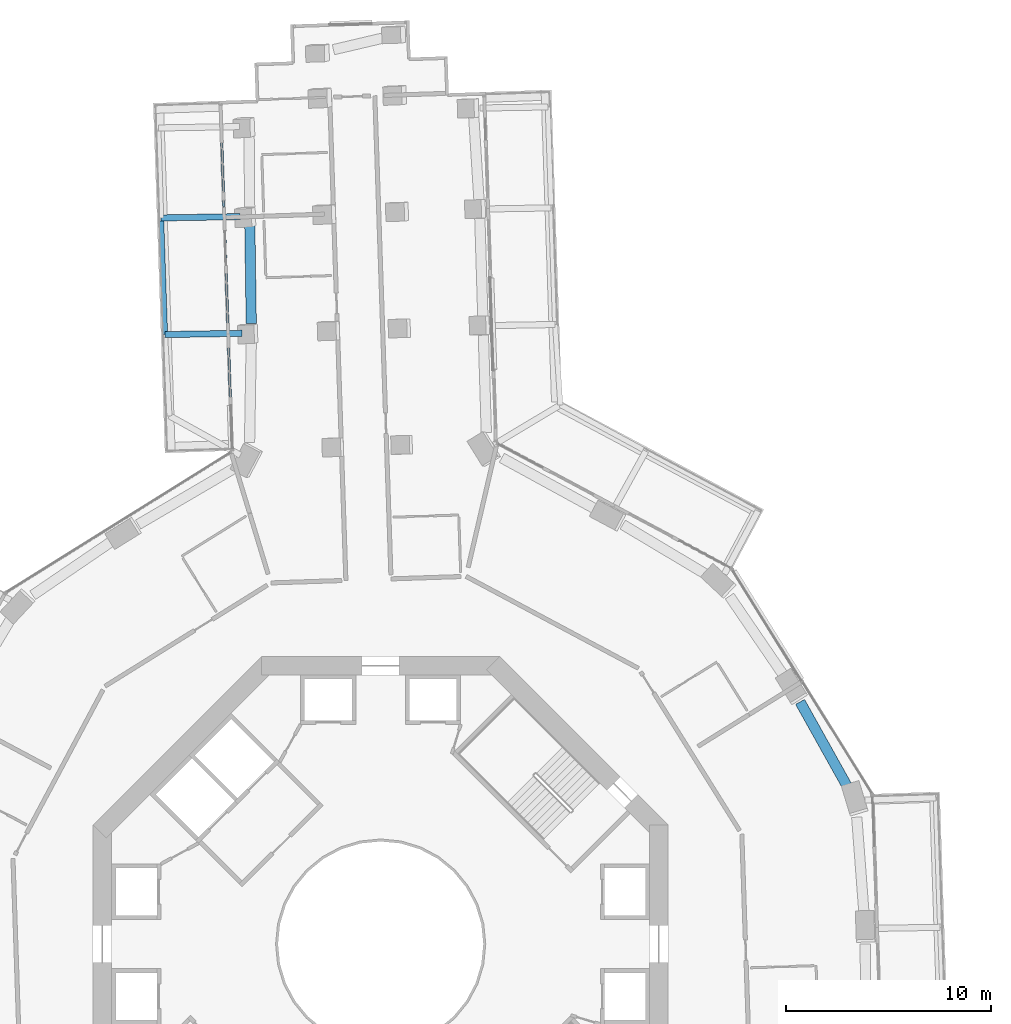
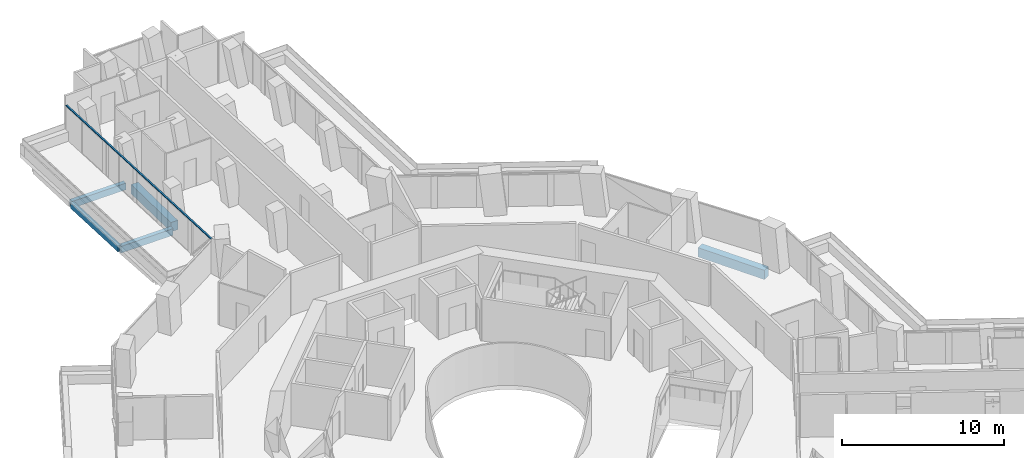
# One storey, part 9 of 27: 5 beams, 1 member, 1 element without a shape of its own.
"""IFC4 building model written with IfcOpenShell, lengths in metres."""

import ifcopenshell
import ifcopenshell.guid

model = None  # the IFC model being written
_history = None  # IfcOwnerHistory: only IFC2X3 demands one
_inside = {}  # id of a spatial element -> (the spatial element, [elements in it])
_under = {}  # id of a project, library or spatial element -> (it, [spatial elements below it])
_declared = {}  # id of a project -> (the project, [libraries it declares])
_typed = {}  # id of a type object -> (the type object, [elements of that type])
_made_of = {}  # id of a material, layer set ... -> (it, [elements and type objects made of it])


def new_model(schema):
    """Start an empty IFC model of exactly this schema.

    Asked for "IFC4X3", IfcOpenShell would pick the latest addendum, in which some entities
    have other attributes; the version numbers below select the first issue.
    IFC2X3 requires an IfcOwnerHistory on every rooted entity: one is made here for all.
    """
    global model, _history
    if schema == "IFC4X3":
        model = ifcopenshell.file(schema_version=(4, 3, 0, 0))
    else:
        model = ifcopenshell.file(schema=schema)
    _inside.clear()
    _under.clear()
    _declared.clear()
    _typed.clear()
    _made_of.clear()
    _history = None
    if model.schema == "IFC2X3":
        org = make("IfcOrganization", Name="unknown")
        user = make(
            "IfcPersonAndOrganization",
            ThePerson=make("IfcPerson", FamilyName="unknown"),
            TheOrganization=org,
        )
        app = make(
            "IfcApplication",
            ApplicationDeveloper=org,
            Version="unknown",
            ApplicationFullName="unknown",
            ApplicationIdentifier="unknown",
        )
        _history = make(
            "IfcOwnerHistory",
            OwningUser=user,
            OwningApplication=app,
            ChangeAction="ADDED",
            CreationDate=0,
        )
    return model


def make(cls, **values):
    """One entity of the class cls with the attributes given. An attribute that is None is left unset."""
    return model.create_entity(
        cls, **{name: value for name, value in values.items() if value is not None}
    )


def rooted(cls, **values):
    """An entity with a GlobalId (a new one), such as an element, a storey or a relation."""
    return make(cls, GlobalId=ifcopenshell.guid.new(), OwnerHistory=_history, **values)


def si_unit(unit_type, name, prefix=None):
    """IfcSIUnit, for example si_unit("LENGTHUNIT", "METRE", prefix="MILLI")."""
    return make("IfcSIUnit", UnitType=unit_type, Prefix=prefix, Name=name)


def assignment(units):
    """IfcUnitAssignment: the units of a project."""
    return None if units is None else make("IfcUnitAssignment", Units=units)


def point(xyz):
    """IfcCartesianPoint."""
    return None if xyz is None else make("IfcCartesianPoint", Coordinates=xyz)


def direction(xyz):
    """IfcDirection."""
    return None if xyz is None else make("IfcDirection", DirectionRatios=xyz)


def frame(location, z_axis=None, x_axis=None):
    """IfcAxis2Placement3D, a coordinate frame: its origin and axes. An axis left out is left unset."""
    return make(
        "IfcAxis2Placement3D",
        Location=point(location),
        Axis=direction(z_axis),
        RefDirection=direction(x_axis),
    )


def frame_2d(location, x_axis=None):
    """IfcAxis2Placement2D, a coordinate frame in the plane: its origin and x axis."""
    return make(
        "IfcAxis2Placement2D", Location=point(location), RefDirection=direction(x_axis)
    )


def origin():
    """The frame at (0, 0, 0) with its axes left unset."""
    return frame((0.0, 0.0, 0.0))


def origin_2d():
    """The frame at (0, 0) in the plane with its x axis left unset."""
    return frame_2d((0.0, 0.0))


def place(relative_to, where):
    """IfcLocalPlacement: puts the frame where relative to a parent placement (None: the world)."""
    return make(
        "IfcLocalPlacement", PlacementRelTo=relative_to, RelativePlacement=where
    )


def context(
    kind, dimensions, precision=None, world=None, true_north=None, identifier=None
):
    """IfcGeometricRepresentationContext, for example the 3D "Model" context."""
    return make(
        "IfcGeometricRepresentationContext",
        ContextIdentifier=identifier,
        ContextType=kind,
        CoordinateSpaceDimension=dimensions,
        Precision=precision,
        WorldCoordinateSystem=world,
        TrueNorth=true_north,
    )


def subcontext(parent, identifier, kind, view, scale=None):
    """IfcGeometricRepresentationSubContext, for example "Body" below "Model"."""
    return make(
        "IfcGeometricRepresentationSubContext",
        ContextIdentifier=identifier,
        ContextType=kind,
        ParentContext=parent,
        TargetScale=scale,
        TargetView=view,
    )


def project(units=None, contexts=None):
    """IfcProject with its units and contexts."""
    return rooted(
        "IfcProject",
        Name="project",
        RepresentationContexts=contexts,
        UnitsInContext=assignment(units),
    )


def spatial(cls, under=None, at=None, **own):
    """A site, building, storey or space (cls), placed at a placement, below another one or the project."""
    s = rooted(cls, ObjectPlacement=at, **own)
    if under is not None:
        _under.setdefault(under.id(), (under, []))[1].append(s)
    return s


def profile(cls, at=None, kind="AREA", **sizes):
    """A parametric profile (cls). Its sizes go by their IFC names, for example OverallWidth=200.0."""
    return make(cls, ProfileType=kind, Position=at, **sizes)


def rectangle(**sizes):
    """IfcRectangleProfileDef."""
    return profile("IfcRectangleProfileDef", **sizes)


def extrude(swept, where, along, depth):
    """IfcExtrudedAreaSolid: the profile swept, set in the frame where, extruded along a direction by depth."""
    return make(
        "IfcExtrudedAreaSolid",
        SweptArea=swept,
        Position=where,
        ExtrudedDirection=direction(along),
        Depth=depth,
    )


def shape(context_of_items, identifier, shape_type, items):
    """IfcShapeRepresentation: the items that make up one representation, for example the "Body"."""
    return make(
        "IfcShapeRepresentation",
        ContextOfItems=context_of_items,
        RepresentationIdentifier=identifier,
        RepresentationType=shape_type,
        Items=items,
    )


def material(Name=None, Category=None):
    """IfcMaterial."""
    return make("IfcMaterial", Name=Name, Category=Category)


def layer(
    of_material, thickness, ventilated=None, Name=None, Category=None, Priority=None
):
    """IfcMaterialLayer: one layer of a wall or slab, of a material (None: an air gap)."""
    return make(
        "IfcMaterialLayer",
        Material=of_material,
        LayerThickness=thickness,
        IsVentilated=ventilated,
        Name=Name,
        Category=Category,
        Priority=Priority,
    )


def layer_set(layers, Name=None):
    """IfcMaterialLayerSet."""
    return make("IfcMaterialLayerSet", MaterialLayers=layers, LayerSetName=Name)


def material_profile(
    of_material, cross_section, Name=None, Category=None, Priority=None
):
    """IfcMaterialProfile: a cross section and its material."""
    return make(
        "IfcMaterialProfile",
        Name=Name,
        Material=of_material,
        Profile=cross_section,
        Priority=Priority,
        Category=Category,
    )


def profile_set(profiles, Name=None, composite=None):
    """IfcMaterialProfileSet."""
    return make(
        "IfcMaterialProfileSet",
        Name=Name,
        MaterialProfiles=profiles,
        CompositeProfile=composite,
    )


def made_of(thing, what):
    """Note that an element or type object is made of a material, layer set ...; save() writes the relation."""
    if what is not None:
        _made_of.setdefault(what.id(), (what, []))[1].append(thing)
    return thing


def type_object(cls, material=None, **own):
    """A type object (cls), such as IfcWallType, which elements share."""
    return made_of(rooted(cls, **own), material)


def element(
    cls,
    number,
    at=None,
    inside=None,
    cuts=None,
    type_object=None,
    material=None,
    context=None,
    identifier="Body",
    shape_type=None,
    held_by="IfcProductDefinitionShape",
    body=None,
    shapes=None,
    **own,
):
    """One element of the class cls, such as IfcWall. Its Tag is "e" and its number.

    at: its placement. inside: the storey or other place that contains it. cuts: it is an
    opening in that element (IfcRelVoidsElement). A single representation is given by context,
    identifier, shape_type and body (its items); several are given by shapes. held_by: the class
    of the entity that holds the representations. save() writes the other relations.
    """
    e = rooted(cls, Tag="e%d" % number, ObjectPlacement=at, **own)
    if body is not None:
        shapes = [shape(context, identifier, shape_type, body)]
    if shapes is not None:
        e.Representation = make(held_by, Representations=shapes)
    if inside is not None:
        _inside.setdefault(inside.id(), (inside, []))[1].append(e)
    if cuts is not None:
        rooted(
            "IfcRelVoidsElement", RelatingBuildingElement=cuts, RelatedOpeningElement=e
        )
    if type_object is not None:
        _typed.setdefault(type_object.id(), (type_object, []))[1].append(e)
    return made_of(e, material)


def aggregate(whole, parts):
    """IfcRelAggregates: a whole, such as a stair, and the parts it consists of."""
    return rooted("IfcRelAggregates", RelatingObject=whole, RelatedObjects=parts)


def save(model, path):
    """Write the relations noted so far, then the file.

    IfcRelAggregates (storeys below a building ...), IfcRelContainedInSpatialStructure (elements
    in a storey), IfcRelDefinesByType, IfcRelAssociatesMaterial and IfcRelDeclares: one each for
    every whole, place, type object, material and project.
    """
    for whole, parts in _under.values():
        aggregate(whole, parts)
    for where, things in _inside.values():
        rooted(
            "IfcRelContainedInSpatialStructure",
            RelatedElements=things,
            RelatingStructure=where,
        )
    for kind, things in _typed.values():
        rooted("IfcRelDefinesByType", RelatedObjects=things, RelatingType=kind)
    for what, things in _made_of.values():
        rooted("IfcRelAssociatesMaterial", RelatedObjects=things, RelatingMaterial=what)
    for by, libraries in _declared.values():
        rooted("IfcRelDeclares", RelatingContext=by, RelatedDefinitions=libraries)
    model.write(path)


model = new_model("IFC4")

# Units and contexts
model_context = context("Model", 3, precision=1e-05, world=origin(), true_north=direction((0.0, 1.0)))
body_context = subcontext(model_context, "Body", "Model", "MODEL_VIEW")
ifc_project = project(units=[si_unit("LENGTHUNIT", "METRE"), si_unit("AREAUNIT", "SQUARE_METRE"), si_unit("VOLUMEUNIT", "CUBIC_METRE"), si_unit("PLANEANGLEUNIT", "RADIAN"), si_unit("MASSUNIT", "GRAM", prefix="KILO")], contexts=[model_context])

# Site, building, storey
site_placement = place(None, origin())
site = spatial("IfcSite", under=ifc_project, at=site_placement, CompositionType="ELEMENT")
building_placement = place(site_placement, origin())
building = spatial("IfcBuilding", under=site, at=building_placement, Name="Verdalira Terraces Hotel", CompositionType="ELEMENT")
storey_placement = place(building_placement, frame((0.0, 0.0, 42.5)))
storey = spatial("IfcBuildingStorey", under=building, at=storey_placement, Name="L08", CompositionType="ELEMENT", Elevation=42.5)

# Beams
ifc_material_1 = material(Name="Concrete C40", Category="concrete")
ifc_material_profile_1 = material_profile(ifc_material_1, rectangle(XDim=0.300049, YDim=0.5, at=origin_2d()), Name="RC 300X500")
ifc_profile_set_1 = profile_set([ifc_material_profile_1], Name="Concrete C40")
beam_type_1 = type_object("IfcBeamType", Name="Balcony cantilever beam RC 300X500 C40", PredefinedType="BEAM", material=ifc_profile_set_1)
beam_1_placement = place(storey_placement, frame((-6.837891, 35.429688, -0.560059), z_axis=(-0.999859056, -0.016788915, 0.0), x_axis=(0.016788915, -0.999859056, 0.0)))
element("IfcBeam", 1, at=beam_1_placement, inside=storey, type_object=beam_type_1, Name="Balcony cantilever beam R10-2", PredefinedType="BEAM", context=body_context, shape_type="SweptSolid", body=[
    extrude(rectangle(XDim=0.300049, YDim=0.5, at=origin_2d()), origin(), (0.0, 0.0, 1.0), 3.853516),
])
beam_2_placement = place(storey_placement, frame((-6.74585, 29.746582, -0.560059), z_axis=(-0.999859311, -0.016773763, 0.0), x_axis=(0.016773763, -0.999859311, 0.0)))
element("IfcBeam", 2, at=beam_2_placement, inside=storey, type_object=beam_type_1, Name="Balcony cantilever beam R10-3", PredefinedType="BEAM", context=body_context, shape_type="SweptSolid", body=[
    extrude(rectangle(XDim=0.300049, YDim=0.5, at=origin_2d()), origin(), (0.0, 0.0, 1.0), 3.755127),
])
ifc_material_2 = material(Name="Concrete C40", Category="concrete")
ifc_material_profile_2 = material_profile(ifc_material_2, rectangle(XDim=0.25, YDim=0.449951, at=origin_2d()), Name="RC 250X450")
ifc_profile_set_2 = profile_set([ifc_material_profile_2], Name="Concrete C40")
beam_type_2 = type_object("IfcBeamType", Name="Balcony edge beam RC 250X450 C40", PredefinedType="BEAM", material=ifc_profile_set_2)
beam_3_placement = place(storey_placement, frame((-10.685791, 35.215088, -0.534912), z_axis=(0.0334808, -0.999439361, 0.0), x_axis=(0.999439361, 0.0334808, 0.0)))
element("IfcBeam", 3, at=beam_3_placement, inside=storey, type_object=beam_type_2, Name="Balcony edge beam R10-2", PredefinedType="BEAM", context=body_context, shape_type="SweptSolid", body=[
    extrude(rectangle(XDim=0.25, YDim=0.449951, at=origin_2d()), origin(), (0.0, 0.0, 1.0), 5.534668),
])

# Curtain wall, member
ifc_material_3 = material(Name="Clear glass", Category="glass")
ifc_layer = layer(ifc_material_3, 0.14990234375)
ifc_layer_set = layer_set([ifc_layer], Name="CW2 curtain wall")
curtain_wall_type = type_object("IfcCurtainWallType", Name="CW2 curtain wall", PredefinedType="NOTDEFINED", material=ifc_layer_set)
curtain_wall_placement = place(storey_placement, origin())
curtain_wall = element("IfcCurtainWall", 4, at=curtain_wall_placement, inside=storey, type_object=curtain_wall_type, Name="CW2 curtain wall L08 edge 10", PredefinedType="NOTDEFINED")
ifc_material_4 = material(Name="Terracotta frame", Category="masonry")
ifc_material_profile_3 = material_profile(ifc_material_4, rectangle(XDim=0.11499, YDim=0.064941, at=origin_2d()), Name="TR 65x115")
ifc_profile_set_3 = profile_set([ifc_material_profile_3], Name="Terracotta frame")
member_type = type_object("IfcMemberType", Name="CW2 transom 65x115", PredefinedType="USERDEFINED", material=ifc_profile_set_3)
member_placement = place(storey_placement, frame((-7.800049, 40.912842, 2.45752), z_axis=(0.033500577, -0.999438698, 0.0), x_axis=(0.999438698, 0.033500577, 0.0)))
member = element("IfcMember", 5, at=member_placement, type_object=member_type, Name="CW2 transom", ObjectType="TRANSOM", PredefinedType="USERDEFINED", context=body_context, shape_type="SweptSolid", body=[
    extrude(rectangle(XDim=0.11499, YDim=0.064941, at=origin_2d()), origin(), (0.0, 0.0, 1.0), 16.892822),
])
aggregate(curtain_wall, [member])

# Beams
ifc_material_5 = material(Name="Concrete C70", Category="concrete")
ifc_material_profile_4 = material_profile(ifc_material_5, rectangle(XDim=0.5, YDim=0.699951, at=origin_2d()), Name="RC 500X700")
ifc_profile_set_4 = profile_set([ifc_material_profile_4], Name="Concrete C70")
beam_type_3 = type_object("IfcBeamType", Name="Spandrel beam RC 500X700 C70", PredefinedType="SPANDREL", material=ifc_profile_set_4)
beam_4_placement = place(storey_placement, frame((-6.37207, 35.000732, -0.659912), z_axis=(0.014542989, -0.999894245, 0.0), x_axis=(0.999894245, 0.014542989, 0.0)))
element("IfcBeam", 6, at=beam_4_placement, inside=storey, type_object=beam_type_3, Name="Spandrel beam B06", PredefinedType="SPANDREL", context=body_context, shape_type="SweptSolid", body=[
    extrude(rectangle(XDim=0.5, YDim=0.699951, at=origin_2d()), origin(), (0.0, 0.0, 1.0), 4.784424),
])
beam_5_placement = place(storey_placement, frame((22.745117, 7.640381, -0.659912), z_axis=(-0.487440747, 0.873156068, 0.0), x_axis=(-0.873156068, -0.487440747, 0.0)))
element("IfcBeam", 7, at=beam_5_placement, inside=storey, type_object=beam_type_3, Name="Spandrel beam B32", PredefinedType="SPANDREL", context=body_context, shape_type="SweptSolid", body=[
    extrude(rectangle(XDim=0.5, YDim=0.699951, at=origin_2d()), origin(), (0.0, 0.0, 1.0), 4.759277),
])

save(model, "model.ifc")
